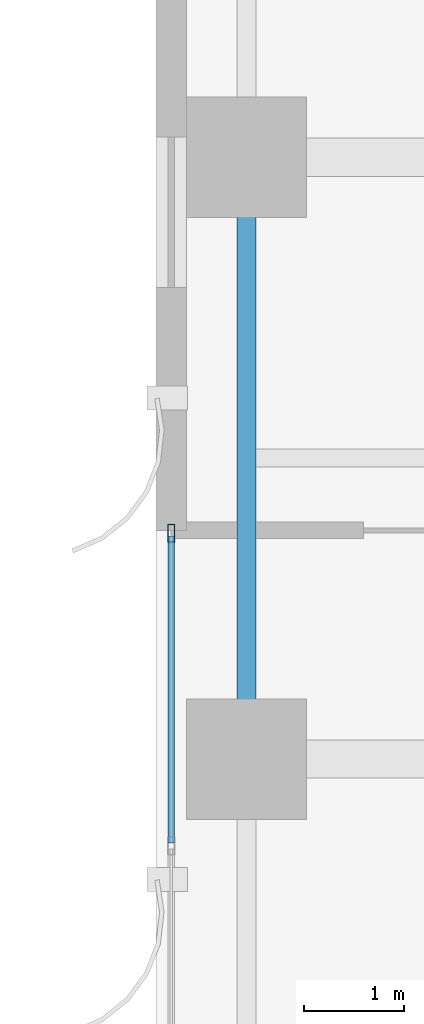
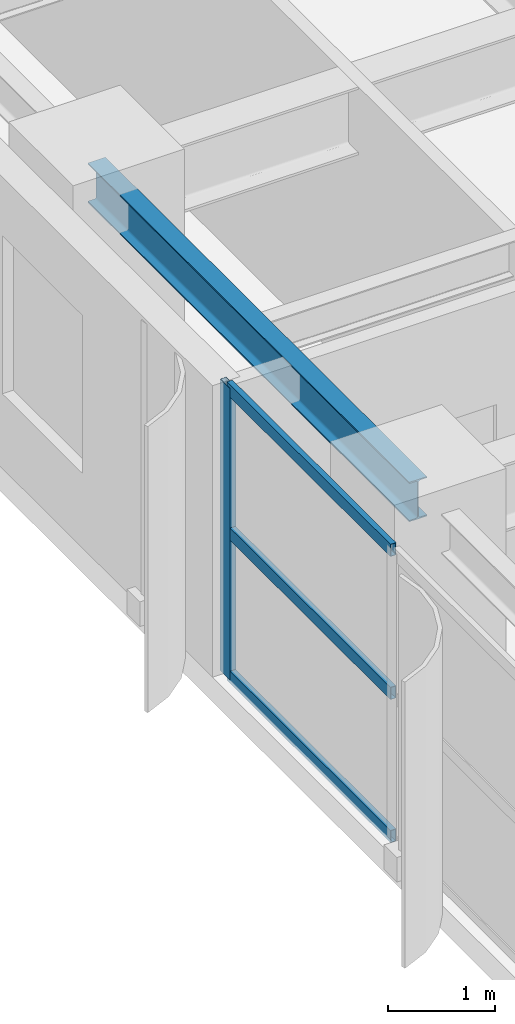
# One storey, part 8 of 22: 4 members, 1 beam, 1 element without a shape of its own.
"""IFC4 building model written with IfcOpenShell, lengths in metres."""

from ifc_helpers import new_model, si_unit, direction, frame, origin, origin_2d, place, context, subcontext, project, spatial, hollow_rectangle, i_section, extrude, source, transform, mapped, material, layer, layer_set, material_profile, profile_set, type_object, element, aggregate, save


model = new_model("IFC4")

# Units and contexts
model_context = context("Model", 3, precision=1e-05, world=origin(), true_north=direction((0.0, 1.0)))
body_context = subcontext(model_context, "Body", "Model", "MODEL_VIEW")
ifc_project = project(units=[si_unit("LENGTHUNIT", "METRE"), si_unit("AREAUNIT", "SQUARE_METRE"), si_unit("VOLUMEUNIT", "CUBIC_METRE"), si_unit("PLANEANGLEUNIT", "RADIAN"), si_unit("MASSUNIT", "GRAM", prefix="KILO")], contexts=[model_context])

# Site, building, storey
site_placement = place(None, origin())
site = spatial("IfcSite", under=ifc_project, at=site_placement, CompositionType="ELEMENT")
building_placement = place(site_placement, origin())
building = spatial("IfcBuilding", under=site, at=building_placement, Name="Khoralis Quay Care Tower", CompositionType="ELEMENT")
storey_placement = place(building_placement, frame((0.0, 0.0, 44.10009765625)))
storey = spatial("IfcBuildingStorey", under=building, at=storey_placement, Name="L11", CompositionType="ELEMENT", Elevation=44.10009765625)

# Beam
ifc_material_1 = material(Name="Steel S355", Category="steel")
ifc_material_profile_1 = material_profile(ifc_material_1, i_section(OverallWidth=0.18994140625, OverallDepth=0.449951171875, WebThickness=0.009521484375, FlangeThickness=0.0146484375, FilletRadius=0.02099609375, at=origin_2d()), Name="Steel S355")
ifc_profile_set_1 = profile_set([ifc_material_profile_1], Name="Steel S355")
beam_type = type_object("IfcBeamType", Name="BM-IPE450", PredefinedType="SPANDREL", material=ifc_profile_set_1)
shared_shape_1 = source(origin(), body_context, "Body", "SweptSolid", [
    extrude(i_section(OverallWidth=0.18994140625, OverallDepth=0.449951171875, WebThickness=0.009521484375, FlangeThickness=0.0146484375, FilletRadius=0.02099609375, at=origin_2d()), origin(), (0.0, 0.0, 1.0), 6.0),
])
beam_placement = place(storey_placement, frame((0.89990234375, 30.0, 3.094970703125), z_axis=(0.0, 1.0, 0.0), x_axis=(-1.0, 0.0, 0.0)))
element("IfcBeam", 1, at=beam_placement, inside=storey, type_object=beam_type, Name="BM-TSP-L11-17", PredefinedType="SPANDREL", context=body_context, shape_type="MappedRepresentation", body=[
    mapped(shared_shape_1, transform((0.0, 0.0, 0.0), scale=1.0)),
])

# Curtain wall, members
ifc_material_2 = material(Name="Pale anodised aluminium", Category="aluminium")
ifc_layer = layer(ifc_material_2, 0.179931640625)
ifc_layer_set = layer_set([ifc_layer], Name="Pale anodised aluminium")
curtain_wall_type = type_object("IfcCurtainWallType", Name="CW-SYS-Z1", PredefinedType="NOTDEFINED", material=ifc_layer_set)
curtain_wall_placement = place(storey_placement, origin())
curtain_wall = element("IfcCurtainWall", 2, at=curtain_wall_placement, inside=storey, type_object=curtain_wall_type, Name="L11 Unitised Curtain Wall CW-L11-P1-E15", PredefinedType="NOTDEFINED")
ifc_material_profile_2 = material_profile(ifc_material_2, hollow_rectangle(XDim=0.06494140625, YDim=0.179931640625, WallThickness=0.00390625, at=origin_2d()), Name="Pale anodised aluminium")
ifc_profile_set_2 = profile_set([ifc_material_profile_2], Name="Pale anodised aluminium")
member_type_1 = type_object("IfcMemberType", Name="CW-MUL-180", PredefinedType="MULLION", material=ifc_profile_set_2)
shared_shape_2 = source(origin(), body_context, "Body", "SweptSolid", [
    extrude(hollow_rectangle(XDim=0.06494140625, YDim=0.179931640625, WallThickness=0.00390625, at=origin_2d()), origin(), (0.0, 0.0, 1.0), 3.31982421875),
])
member_1_placement = place(storey_placement, frame((0.14990234375, 32.25, 0.0), z_axis=(0.0, 0.0, 1.0), x_axis=(1.0, 0.0, 0.0)))
member_1 = element("IfcMember", 3, at=member_1_placement, type_object=member_type_1, Name="CW1 mullion 1", PredefinedType="MULLION", context=body_context, shape_type="MappedRepresentation", body=[
    mapped(shared_shape_2, transform((0.0, 0.0, 0.0), scale=1.0)),
])
ifc_material_profile_3 = material_profile(ifc_material_2, hollow_rectangle(XDim=0.06005859375, YDim=0.139892578125, WallThickness=0.00390625, at=origin_2d()), Name="Pale anodised aluminium")
ifc_profile_set_3 = profile_set([ifc_material_profile_3], Name="Pale anodised aluminium")
member_type_2 = type_object("IfcMemberType", Name="CW-TRN-140", PredefinedType="USERDEFINED", material=ifc_profile_set_3)
shared_shape_3 = source(origin(), body_context, "Body", "SweptSolid", [
    extrude(hollow_rectangle(XDim=0.06005859375, YDim=0.139892578125, WallThickness=0.00390625, at=origin_2d()), origin(), (0.0, 0.0, 1.0), 3.054931640625),
])
member_2_placement = place(storey_placement, frame((0.14990234375, 32.219970703125, 0.02978515625), z_axis=(0.0, -1.0, 0.0), x_axis=(1.0, 0.0, 0.0)))
member_2 = element("IfcMember", 4, at=member_2_placement, type_object=member_type_2, Name="CW1 transom 1.1", ObjectType="TRANSOM", PredefinedType="USERDEFINED", context=body_context, shape_type="MappedRepresentation", body=[
    mapped(shared_shape_3, transform((0.0, 0.0, 0.0), scale=1.0)),
])
member_3_placement = place(storey_placement, frame((0.14990234375, 32.219970703125, 1.659912109375), z_axis=(0.0, -1.0, 0.0), x_axis=(1.0, 0.0, 0.0)))
member_3 = element("IfcMember", 5, at=member_3_placement, type_object=member_type_2, Name="CW1 transom 1.2", ObjectType="TRANSOM", PredefinedType="USERDEFINED", context=body_context, shape_type="MappedRepresentation", body=[
    mapped(shared_shape_3, transform((0.0, 0.0, 0.0), scale=1.0)),
])
member_4_placement = place(storey_placement, frame((0.14990234375, 32.219970703125, 3.289794921875), z_axis=(0.0, -1.0, 0.0), x_axis=(1.0, 0.0, 0.0)))
member_4 = element("IfcMember", 6, at=member_4_placement, type_object=member_type_2, Name="CW1 transom 1.3", ObjectType="TRANSOM", PredefinedType="USERDEFINED", context=body_context, shape_type="MappedRepresentation", body=[
    mapped(shared_shape_3, transform((0.0, 0.0, 0.0), scale=1.0)),
])
aggregate(curtain_wall, [member_1, member_2, member_3, member_4])

save(model, "model.ifc")
